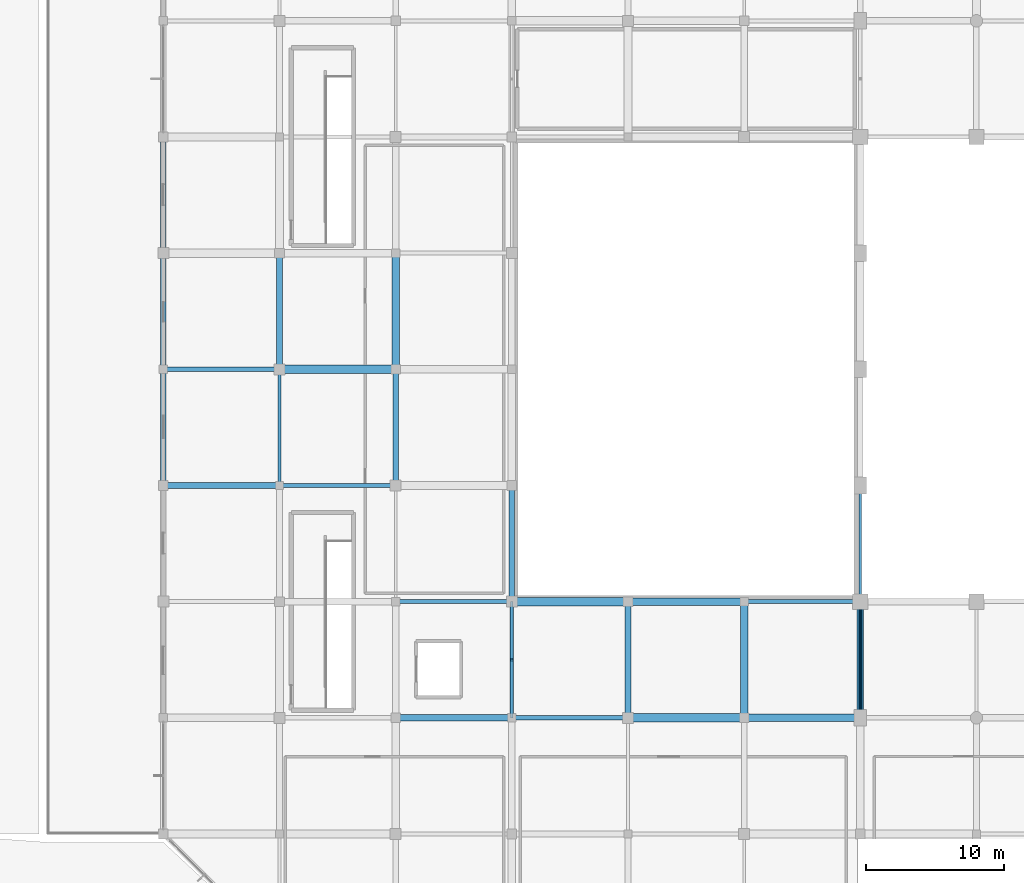
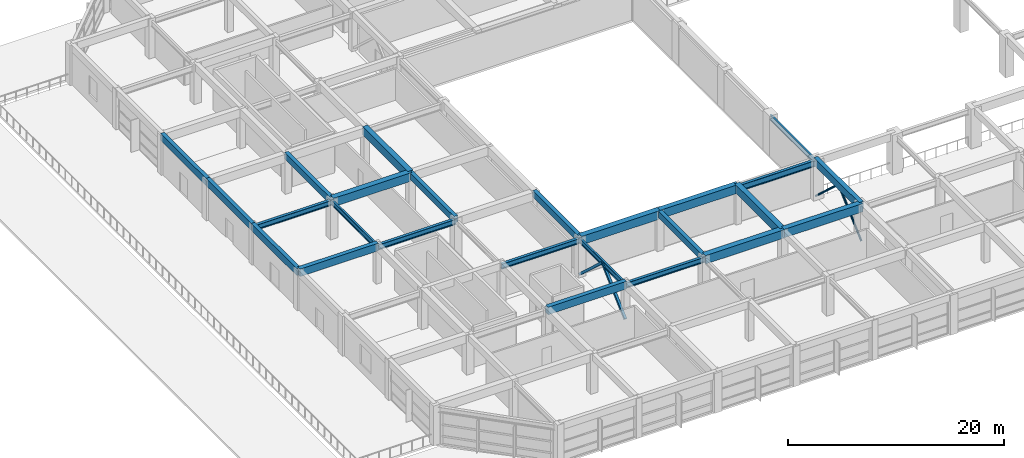
# One storey, part 13 of 56: 25 beams, 4 members.
"""IFC4 building model written with IfcOpenShell, lengths in metres."""

from ifc_helpers import new_model, si_unit, direction, frame, origin, origin_2d, place, context, subcontext, project, spatial, rectangle, hollow_rectangle, hollow_circle, i_section, extrude, material, material_profile, profile_set, type_object, element, save


model = new_model("IFC4")

# Units and contexts
model_context = context("Model", 3, precision=1e-05, world=origin(), true_north=direction((0.0, 1.0)))
body_context = subcontext(model_context, "Body", "Model", "MODEL_VIEW")
ifc_project = project(units=[si_unit("LENGTHUNIT", "METRE"), si_unit("AREAUNIT", "SQUARE_METRE"), si_unit("VOLUMEUNIT", "CUBIC_METRE"), si_unit("PLANEANGLEUNIT", "RADIAN"), si_unit("MASSUNIT", "GRAM", prefix="KILO")], contexts=[model_context])

# Site, building, storey
site_placement = place(None, origin())
site = spatial("IfcSite", under=ifc_project, at=site_placement, CompositionType="ELEMENT")
building_placement = place(site_placement, origin())
building = spatial("IfcBuilding", under=site, at=building_placement, Name="Xuanlan Plaza Opera House", CompositionType="ELEMENT")
storey_placement = place(building_placement, frame((0.0, 0.0, 18.89990234375)))
storey = spatial("IfcBuildingStorey", under=building, at=storey_placement, Name="L04", CompositionType="ELEMENT", Elevation=18.89990234375)

# Beams
ifc_material_1 = material(Name="Concrete C50", Category="concrete")
ifc_material_profile_1 = material_profile(ifc_material_1, rectangle(XDim=0.60009765625, YDim=0.949951171875, at=origin_2d()), Name="RC-BM 600x950")
ifc_profile_set_1 = profile_set([ifc_material_profile_1], Name="Concrete C50")
beam_type_1 = type_object("IfcBeamType", Name="STR-BM-B-01", PredefinedType="BEAM", material=ifc_profile_set_1)
beam_1_placement = place(storey_placement, frame((50.39990234375, 33.60009765625, 4.025146484375), z_axis=(1.0, 0.0, 0.0), x_axis=(0.0, 1.0, 0.0)))
element("IfcBeam", 1, at=beam_1_placement, inside=storey, type_object=beam_type_1, Name="Grid Beam X L04 7-8/E", PredefinedType="BEAM", context=body_context, shape_type="SweptSolid", body=[
    extrude(rectangle(XDim=0.60009765625, YDim=0.949951171875, at=origin_2d()), origin(), (0.0, 0.0, 1.0), 8.400146484375),
])
beam_2_placement = place(storey_placement, frame((42.0, 42.0, 4.025146484375), z_axis=(1.0, 0.0, 0.0), x_axis=(0.0, 1.0, 0.0)))
element("IfcBeam", 2, at=beam_2_placement, inside=storey, type_object=beam_type_1, Name="Grid Beam X L04 6-7/F", PredefinedType="BEAM", context=body_context, shape_type="SweptSolid", body=[
    extrude(rectangle(XDim=0.60009765625, YDim=0.949951171875, at=origin_2d()), origin(), (0.0, 0.0, 1.0), 8.39990234375),
])
beam_3_placement = place(storey_placement, frame((25.199951171875, 58.800048828125, 4.025146484375), z_axis=(1.0, 0.0, 0.0), x_axis=(0.0, 1.0, 0.0)))
element("IfcBeam", 3, at=beam_3_placement, inside=storey, type_object=beam_type_1, Name="Grid Beam X L04 4-5/H", PredefinedType="BEAM", context=body_context, shape_type="SweptSolid", body=[
    extrude(rectangle(XDim=0.60009765625, YDim=0.949951171875, at=origin_2d()), origin(), (0.0, 0.0, 1.0), 8.400146484375),
])
ifc_material_profile_2 = material_profile(ifc_material_1, rectangle(XDim=0.550048828125, YDim=0.949951171875, at=origin_2d()), Name="RC-BM 550x950")
ifc_profile_set_2 = profile_set([ifc_material_profile_2], Name="Concrete C50")
beam_type_2 = type_object("IfcBeamType", Name="STR-BM-B-02", PredefinedType="BEAM", material=ifc_profile_set_2)
beam_4_placement = place(storey_placement, frame((58.800048828125, 33.60009765625, 4.025146484375), z_axis=(1.0, 0.0, 0.0), x_axis=(0.0, 1.0, 0.0)))
element("IfcBeam", 4, at=beam_4_placement, inside=storey, type_object=beam_type_2, Name="Grid Beam X L04 8-9/E", PredefinedType="BEAM", context=body_context, shape_type="SweptSolid", body=[
    extrude(rectangle(XDim=0.550048828125, YDim=0.949951171875, at=origin_2d()), origin(), (0.0, 0.0, 1.0), 8.39990234375),
])
beam_5_placement = place(storey_placement, frame((50.39990234375, 42.0, 4.025146484375), z_axis=(1.0, 0.0, 0.0), x_axis=(0.0, 1.0, 0.0)))
element("IfcBeam", 5, at=beam_5_placement, inside=storey, type_object=beam_type_2, Name="Grid Beam X L04 7-8/F", PredefinedType="BEAM", context=body_context, shape_type="SweptSolid", body=[
    extrude(rectangle(XDim=0.550048828125, YDim=0.949951171875, at=origin_2d()), origin(), (0.0, 0.0, 1.0), 8.400146484375),
])
for number, where, z_axis, x_axis, name in (
    (6, (33.60009765625, 58.800048828125, 4.025146484375), (0.0, 1.0, 0.0), (-1.0, 0.0, 0.0), "Grid Beam Y L04 5/H-I"),
    (7, (58.800048828125, 33.60009765625, 4.025146484375), (0.0, 1.0, 0.0), (-1.0, 0.0, 0.0), "Grid Beam Y L04 8/E-F"),
):
    element("IfcBeam", number, at=place(storey_placement, frame(where, z_axis=z_axis, x_axis=x_axis)), inside=storey, type_object=beam_type_2, Name=name, PredefinedType="BEAM", context=body_context, shape_type="SweptSolid", body=[
        extrude(rectangle(XDim=0.550048828125, YDim=0.949951171875, at=origin_2d()), origin(), (0.0, 0.0, 1.0), 8.39990234375),
    ])
ifc_material_2 = material(Name="Concrete C40", Category="concrete")
ifc_material_profile_3 = material_profile(ifc_material_2, rectangle(XDim=0.449951171875, YDim=0.85009765625, at=origin_2d()), Name="RC-BM 450x850")
ifc_profile_set_3 = profile_set([ifc_material_profile_3], Name="Concrete C40")
beam_type_3 = type_object("IfcBeamType", Name="STR-BM-B-04", PredefinedType="BEAM", material=ifc_profile_set_3)
for number, where, z_axis, x_axis, name in (
    (8, (33.60009765625, 33.60009765625, 4.0751953125), (1.0, 0.0, 0.0), (0.0, 1.0, 0.0), "Grid Beam X L04 5-6/E"),
    (9, (16.800048828125, 50.39990234375, 4.0751953125), (1.0, 0.0, 0.0), (0.0, 1.0, 0.0), "Grid Beam X L04 3-4/G"),
    (10, (67.199951171875, 33.60009765625, 4.0751953125), (0.0, 1.0, 0.0), (-1.0, 0.0, 0.0), "Grid Beam Y L04 9/E-F"),
):
    element("IfcBeam", number, at=place(storey_placement, frame(where, z_axis=z_axis, x_axis=x_axis)), inside=storey, type_object=beam_type_3, Name=name, PredefinedType="BEAM", context=body_context, shape_type="SweptSolid", body=[
        extrude(rectangle(XDim=0.449951171875, YDim=0.85009765625, at=origin_2d()), origin(), (0.0, 0.0, 1.0), 8.39990234375),
    ])
ifc_material_profile_4 = material_profile(ifc_material_2, rectangle(XDim=0.39990234375, YDim=0.75, at=origin_2d()), Name="RC-BM 400x750")
ifc_profile_set_4 = profile_set([ifc_material_profile_4], Name="Concrete C40")
beam_type_4 = type_object("IfcBeamType", Name="STR-BM-B-06", PredefinedType="BEAM", material=ifc_profile_set_4)
beam_6_placement = place(storey_placement, frame((25.199951171875, 58.800048828125, 4.125), z_axis=(0.0, 1.0, 0.0), x_axis=(-1.0, 0.0, 0.0)))
element("IfcBeam", 11, at=beam_6_placement, inside=storey, type_object=beam_type_4, Name="Grid Beam Y L04 4/H-I", PredefinedType="BEAM", context=body_context, shape_type="SweptSolid", body=[
    extrude(rectangle(XDim=0.39990234375, YDim=0.75, at=origin_2d()), origin(), (0.0, 0.0, 1.0), 8.39990234375),
])
beam_7_placement = place(storey_placement, frame((33.60009765625, 50.39990234375, 4.125), z_axis=(0.0, 1.0, 0.0), x_axis=(-1.0, 0.0, 0.0)))
element("IfcBeam", 12, at=beam_7_placement, inside=storey, type_object=beam_type_4, Name="Grid Beam Y L04 5/G-H", PredefinedType="BEAM", context=body_context, shape_type="SweptSolid", body=[
    extrude(rectangle(XDim=0.39990234375, YDim=0.75, at=origin_2d()), origin(), (0.0, 0.0, 1.0), 8.400146484375),
])
for number, where, z_axis, x_axis, name in (
    (13, (42.0, 42.0, 4.125), (0.0, 1.0, 0.0), (-1.0, 0.0, 0.0), "Grid Beam Y L04 6/F-G"),
    (14, (50.39990234375, 33.60009765625, 4.125), (0.0, 1.0, 0.0), (-1.0, 0.0, 0.0), "Grid Beam Y L04 7/E-F"),
):
    element("IfcBeam", number, at=place(storey_placement, frame(where, z_axis=z_axis, x_axis=x_axis)), inside=storey, type_object=beam_type_4, Name=name, PredefinedType="BEAM", context=body_context, shape_type="SweptSolid", body=[
        extrude(rectangle(XDim=0.39990234375, YDim=0.75, at=origin_2d()), origin(), (0.0, 0.0, 1.0), 8.39990234375),
    ])
ifc_material_3 = material(Name="Steel Q355B", Category="steel")
ifc_material_profile_5 = material_profile(ifc_material_3, i_section(OverallWidth=0.300048828125, OverallDepth=0.699951171875, WebThickness=0.012939453125, FlangeThickness=0.02392578125, FilletRadius=0.02392578125, at=origin_2d()), Name="HN 700x300x13x24")
ifc_profile_set_5 = profile_set([ifc_material_profile_5], Name="Steel Q355B")
beam_type_5 = type_object("IfcBeamType", Name="STR-BM-SB-03", PredefinedType="BEAM", material=ifc_profile_set_5)
beam_8_placement = place(storey_placement, frame((58.800048828125, 42.0, 3.885009765625), z_axis=(1.0, 0.0, 0.0), x_axis=(0.0, 1.0, 0.0)))
element("IfcBeam", 15, at=beam_8_placement, inside=storey, type_object=beam_type_5, Name="Grid Beam X L04 8-9/F", PredefinedType="BEAM", context=body_context, shape_type="SweptSolid", body=[
    extrude(i_section(OverallWidth=0.300048828125, OverallDepth=0.699951171875, WebThickness=0.012939453125, FlangeThickness=0.02392578125, FilletRadius=0.02392578125, at=origin_2d()), origin(), (0.0, 0.0, 1.0), 8.39990234375),
])
ifc_material_profile_6 = material_profile(ifc_material_3, i_section(OverallWidth=0.199951171875, OverallDepth=0.60009765625, WebThickness=0.010986328125, FlangeThickness=0.01708984375, FilletRadius=0.02197265625, at=origin_2d()), Name="HN 600x200x11x17")
ifc_profile_set_6 = profile_set([ifc_material_profile_6], Name="Steel Q355B")
beam_type_6 = type_object("IfcBeamType", Name="STR-BM-SB-04", PredefinedType="BEAM", material=ifc_profile_set_6)
beam_9_placement = place(storey_placement, frame((25.199951171875, 50.39990234375, 3.93505859375), z_axis=(0.0, 1.0, 0.0), x_axis=(-1.0, 0.0, 0.0)))
element("IfcBeam", 16, at=beam_9_placement, inside=storey, type_object=beam_type_6, Name="Grid Beam Y L04 4/G-H", PredefinedType="BEAM", context=body_context, shape_type="SweptSolid", body=[
    extrude(i_section(OverallWidth=0.199951171875, OverallDepth=0.60009765625, WebThickness=0.010986328125, FlangeThickness=0.01708984375, FilletRadius=0.02197265625, at=origin_2d()), origin(), (0.0, 0.0, 1.0), 8.400146484375),
])
for number, where, z_axis, x_axis, name in (
    (17, (42.0, 33.60009765625, 3.93505859375), (0.0, 1.0, 0.0), (-1.0, 0.0, 0.0), "Grid Beam Y L04 6/E-F"),
    (18, (67.199951171875, 42.0, 3.93505859375), (0.0, 1.0, 0.0), (-1.0, 0.0, 0.0), "Grid Beam Y L04 9/F-G"),
):
    element("IfcBeam", number, at=place(storey_placement, frame(where, z_axis=z_axis, x_axis=x_axis)), inside=storey, type_object=beam_type_6, Name=name, PredefinedType="BEAM", context=body_context, shape_type="SweptSolid", body=[
        extrude(i_section(OverallWidth=0.199951171875, OverallDepth=0.60009765625, WebThickness=0.010986328125, FlangeThickness=0.01708984375, FilletRadius=0.02197265625, at=origin_2d()), origin(), (0.0, 0.0, 1.0), 8.39990234375),
    ])
ifc_material_profile_7 = material_profile(ifc_material_3, i_section(OverallWidth=0.300048828125, OverallDepth=0.587890625, WebThickness=0.011962890625, FlangeThickness=0.02001953125, FilletRadius=0.02392578125, at=origin_2d()), Name="HM 588x300x12x20")
ifc_profile_set_7 = profile_set([ifc_material_profile_7], Name="Steel Q355B")
beam_type_7 = type_object("IfcBeamType", Name="STR-BM-SB-06", PredefinedType="BEAM", material=ifc_profile_set_7)
for number, where, z_axis, x_axis, name in (
    (19, (42.0, 33.60009765625, 3.941162109375), (1.0, 0.0, 0.0), (0.0, 1.0, 0.0), "Grid Beam X L04 6-7/E"),
    (20, (33.60009765625, 42.0, 3.941162109375), (1.0, 0.0, 0.0), (0.0, 1.0, 0.0), "Grid Beam X L04 5-6/F"),
):
    element("IfcBeam", number, at=place(storey_placement, frame(where, z_axis=z_axis, x_axis=x_axis)), inside=storey, type_object=beam_type_7, Name=name, PredefinedType="BEAM", context=body_context, shape_type="SweptSolid", body=[
        extrude(i_section(OverallWidth=0.300048828125, OverallDepth=0.587890625, WebThickness=0.011962890625, FlangeThickness=0.02001953125, FilletRadius=0.02392578125, at=origin_2d()), origin(), (0.0, 0.0, 1.0), 8.39990234375),
    ])
beam_10_placement = place(storey_placement, frame((25.199951171875, 50.39990234375, 3.941162109375), z_axis=(1.0, 0.0, 0.0), x_axis=(0.0, 1.0, 0.0)))
element("IfcBeam", 21, at=beam_10_placement, inside=storey, type_object=beam_type_7, Name="Grid Beam X L04 4-5/G", PredefinedType="BEAM", context=body_context, shape_type="SweptSolid", body=[
    extrude(i_section(OverallWidth=0.300048828125, OverallDepth=0.587890625, WebThickness=0.011962890625, FlangeThickness=0.02001953125, FilletRadius=0.02392578125, at=origin_2d()), origin(), (0.0, 0.0, 1.0), 8.400146484375),
])
beam_11_placement = place(storey_placement, frame((16.800048828125, 58.800048828125, 3.941162109375), z_axis=(1.0, 0.0, 0.0), x_axis=(0.0, 1.0, 0.0)))
element("IfcBeam", 22, at=beam_11_placement, inside=storey, type_object=beam_type_7, Name="Grid Beam X L04 3-4/H", PredefinedType="BEAM", context=body_context, shape_type="SweptSolid", body=[
    extrude(i_section(OverallWidth=0.300048828125, OverallDepth=0.587890625, WebThickness=0.011962890625, FlangeThickness=0.02001953125, FilletRadius=0.02392578125, at=origin_2d()), origin(), (0.0, 0.0, 1.0), 8.39990234375),
])
ifc_material_profile_8 = material_profile(ifc_material_2, rectangle(XDim=0.39990234375, YDim=0.800048828125, at=origin_2d()), Name="RC-SPD 400x800")
ifc_profile_set_8 = profile_set([ifc_material_profile_8], Name="Concrete C40")
beam_type_8 = type_object("IfcBeamType", Name="STR-BM-SP-01", PredefinedType="SPANDREL", material=ifc_profile_set_8)
beam_12_placement = place(storey_placement, frame((16.800048828125, 50.39990234375, 4.10009765625), z_axis=(0.0, 1.0, 0.0), x_axis=(-1.0, 0.0, 0.0)))
element("IfcBeam", 23, at=beam_12_placement, inside=storey, type_object=beam_type_8, Name="Grid Beam Y L04 3/G-H", PredefinedType="SPANDREL", context=body_context, shape_type="SweptSolid", body=[
    extrude(rectangle(XDim=0.39990234375, YDim=0.800048828125, at=origin_2d()), origin(), (0.0, 0.0, 1.0), 8.400146484375),
])
beam_13_placement = place(storey_placement, frame((16.800048828125, 58.800048828125, 4.10009765625), z_axis=(0.0, 1.0, 0.0), x_axis=(-1.0, 0.0, 0.0)))
element("IfcBeam", 24, at=beam_13_placement, inside=storey, type_object=beam_type_8, Name="Grid Beam Y L04 3/H-I", PredefinedType="SPANDREL", context=body_context, shape_type="SweptSolid", body=[
    extrude(rectangle(XDim=0.39990234375, YDim=0.800048828125, at=origin_2d()), origin(), (0.0, 0.0, 1.0), 8.39990234375),
])
beam_14_placement = place(storey_placement, frame((16.800048828125, 67.199951171875, 4.10009765625), z_axis=(0.0, 1.0, 0.0), x_axis=(-1.0, 0.0, 0.0)))
element("IfcBeam", 25, at=beam_14_placement, inside=storey, type_object=beam_type_8, Name="Grid Beam Y L04 3/I-J", PredefinedType="SPANDREL", context=body_context, shape_type="SweptSolid", body=[
    extrude(rectangle(XDim=0.39990234375, YDim=0.800048828125, at=origin_2d()), origin(), (0.0, 0.0, 1.0), 8.400146484375),
])

# Members
ifc_material_profile_9 = material_profile(ifc_material_3, hollow_circle(Radius=0.109619140625, WallThickness=0.010009765625, at=origin_2d()), Name="CHS 219.1x10")
ifc_profile_set_9 = profile_set([ifc_material_profile_9], Name="Steel Q355B")
member_type_1 = type_object("IfcMemberType", Name="STR-MEM-BR-05", PredefinedType="BRACE", material=ifc_profile_set_9)
for number, where, z_axis, x_axis, name in (
    (26, (67.199951171875, 33.60009765625, 0.10009765625), (0.0, 0.737141689437, 0.675738210918), (-1.0, 0.0, 0.0), "Stage Lateral Chevron Brace L04-2A"),
    (27, (67.199951171875, 42.0, 0.10009765625), (0.0, -0.737141689437, 0.675738210918), (1.0, 0.0, 0.0), "Stage Lateral Chevron Brace L04-2B"),
):
    element("IfcMember", number, at=place(storey_placement, frame(where, z_axis=z_axis, x_axis=x_axis)), inside=storey, type_object=member_type_1, Name=name, PredefinedType="BRACE", context=body_context, shape_type="SweptSolid", body=[
        extrude(hollow_circle(Radius=0.109619140625, WallThickness=0.010009765625, at=origin_2d()), origin(), (0.0, 0.0, 1.0), 5.697509765625),
    ])
ifc_material_profile_10 = material_profile(ifc_material_3, hollow_rectangle(XDim=0.25, YDim=0.25, WallThickness=0.011962890625, at=origin_2d()), Name="SHS 250x250x12")
ifc_profile_set_10 = profile_set([ifc_material_profile_10], Name="Steel Q355B")
member_type_2 = type_object("IfcMemberType", Name="STR-MEM-BR-06", PredefinedType="BRACE", material=ifc_profile_set_10)
for number, where, z_axis, x_axis, name in (
    (28, (42.0, 33.60009765625, 0.10009765625), (0.0, 0.737141689437, 0.675738210918), (-1.0, 0.0, 0.0), "Stage Lateral Chevron Brace L04-0A"),
    (29, (42.0, 42.0, 0.10009765625), (0.0, -0.737141689437, 0.675738210918), (1.0, 0.0, 0.0), "Stage Lateral Chevron Brace L04-0B"),
):
    element("IfcMember", number, at=place(storey_placement, frame(where, z_axis=z_axis, x_axis=x_axis)), inside=storey, type_object=member_type_2, Name=name, PredefinedType="BRACE", context=body_context, shape_type="SweptSolid", body=[
        extrude(hollow_rectangle(XDim=0.25, YDim=0.25, WallThickness=0.011962890625, at=origin_2d()), origin(), (0.0, 0.0, 1.0), 5.697509765625),
    ])

save(model, "model.ifc")
